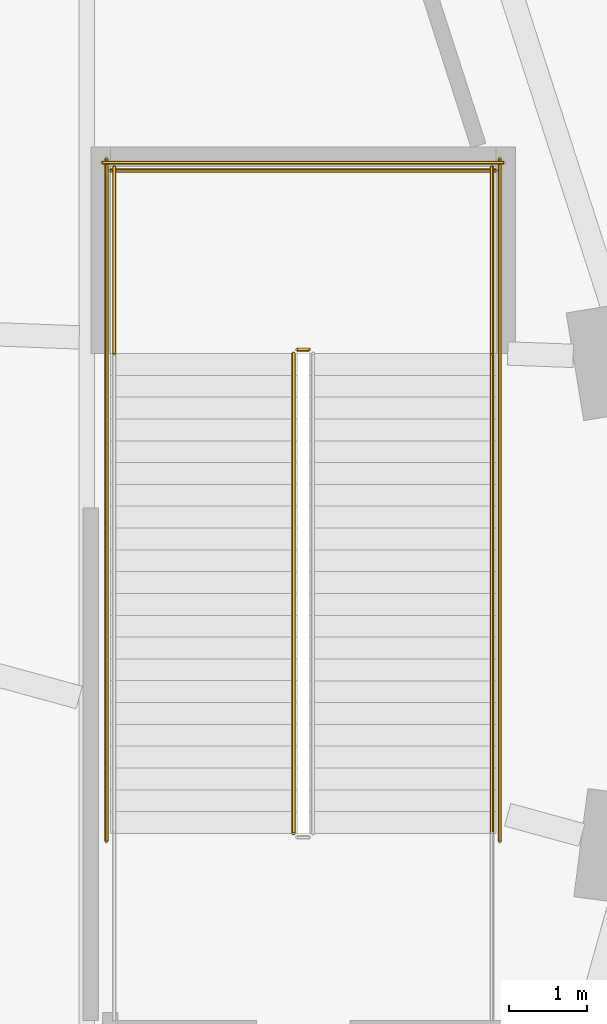
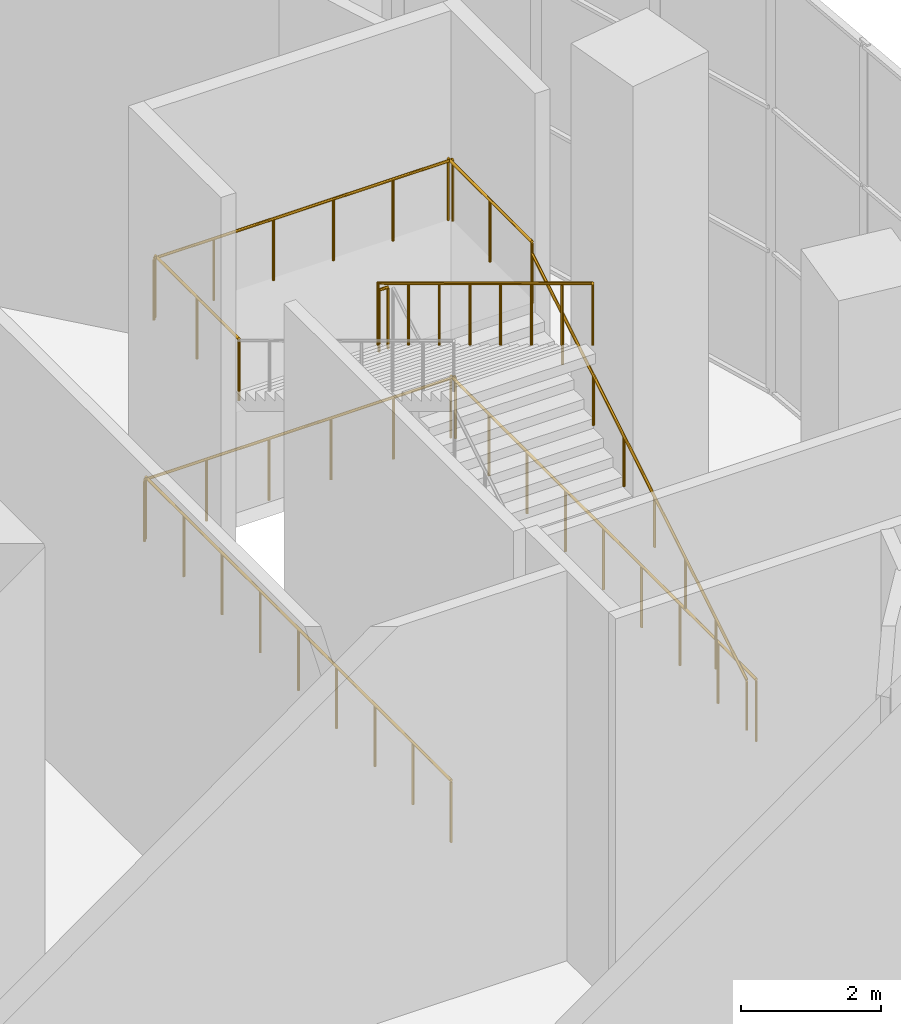
# One storey, part 21 of 22: 9 railings.
"""IFC4 building model written with IfcOpenShell, lengths in metres."""

import ifcopenshell
import ifcopenshell.guid

model = None  # the IFC model being written
_history = None  # IfcOwnerHistory: only IFC2X3 demands one
_inside = {}  # id of a spatial element -> (the spatial element, [elements in it])
_under = {}  # id of a project, library or spatial element -> (it, [spatial elements below it])
_declared = {}  # id of a project -> (the project, [libraries it declares])
_typed = {}  # id of a type object -> (the type object, [elements of that type])
_made_of = {}  # id of a material, layer set ... -> (it, [elements and type objects made of it])


def new_model(schema):
    """Start an empty IFC model of exactly this schema.

    Asked for "IFC4X3", IfcOpenShell would pick the latest addendum, in which some entities
    have other attributes; the version numbers below select the first issue.
    IFC2X3 requires an IfcOwnerHistory on every rooted entity: one is made here for all.
    """
    global model, _history
    if schema == "IFC4X3":
        model = ifcopenshell.file(schema_version=(4, 3, 0, 0))
    else:
        model = ifcopenshell.file(schema=schema)
    _inside.clear()
    _under.clear()
    _declared.clear()
    _typed.clear()
    _made_of.clear()
    _history = None
    if model.schema == "IFC2X3":
        org = make("IfcOrganization", Name="unknown")
        user = make(
            "IfcPersonAndOrganization",
            ThePerson=make("IfcPerson", FamilyName="unknown"),
            TheOrganization=org,
        )
        app = make(
            "IfcApplication",
            ApplicationDeveloper=org,
            Version="unknown",
            ApplicationFullName="unknown",
            ApplicationIdentifier="unknown",
        )
        _history = make(
            "IfcOwnerHistory",
            OwningUser=user,
            OwningApplication=app,
            ChangeAction="ADDED",
            CreationDate=0,
        )
    return model


def make(cls, **values):
    """One entity of the class cls with the attributes given. An attribute that is None is left unset."""
    return model.create_entity(
        cls, **{name: value for name, value in values.items() if value is not None}
    )


def rooted(cls, **values):
    """An entity with a GlobalId (a new one), such as an element, a storey or a relation."""
    return make(cls, GlobalId=ifcopenshell.guid.new(), OwnerHistory=_history, **values)


def si_unit(unit_type, name, prefix=None):
    """IfcSIUnit, for example si_unit("LENGTHUNIT", "METRE", prefix="MILLI")."""
    return make("IfcSIUnit", UnitType=unit_type, Prefix=prefix, Name=name)


def assignment(units):
    """IfcUnitAssignment: the units of a project."""
    return None if units is None else make("IfcUnitAssignment", Units=units)


def point(xyz):
    """IfcCartesianPoint."""
    return None if xyz is None else make("IfcCartesianPoint", Coordinates=xyz)


def direction(xyz):
    """IfcDirection."""
    return None if xyz is None else make("IfcDirection", DirectionRatios=xyz)


def frame(location, z_axis=None, x_axis=None):
    """IfcAxis2Placement3D, a coordinate frame: its origin and axes. An axis left out is left unset."""
    return make(
        "IfcAxis2Placement3D",
        Location=point(location),
        Axis=direction(z_axis),
        RefDirection=direction(x_axis),
    )


def frame_2d(location, x_axis=None):
    """IfcAxis2Placement2D, a coordinate frame in the plane: its origin and x axis."""
    return make(
        "IfcAxis2Placement2D", Location=point(location), RefDirection=direction(x_axis)
    )


def origin():
    """The frame at (0, 0, 0) with its axes left unset."""
    return frame((0.0, 0.0, 0.0))


def origin_2d():
    """The frame at (0, 0) in the plane with its x axis left unset."""
    return frame_2d((0.0, 0.0))


def place(relative_to, where):
    """IfcLocalPlacement: puts the frame where relative to a parent placement (None: the world)."""
    return make(
        "IfcLocalPlacement", PlacementRelTo=relative_to, RelativePlacement=where
    )


def context(
    kind, dimensions, precision=None, world=None, true_north=None, identifier=None
):
    """IfcGeometricRepresentationContext, for example the 3D "Model" context."""
    return make(
        "IfcGeometricRepresentationContext",
        ContextIdentifier=identifier,
        ContextType=kind,
        CoordinateSpaceDimension=dimensions,
        Precision=precision,
        WorldCoordinateSystem=world,
        TrueNorth=true_north,
    )


def subcontext(parent, identifier, kind, view, scale=None):
    """IfcGeometricRepresentationSubContext, for example "Body" below "Model"."""
    return make(
        "IfcGeometricRepresentationSubContext",
        ContextIdentifier=identifier,
        ContextType=kind,
        ParentContext=parent,
        TargetScale=scale,
        TargetView=view,
    )


def project(units=None, contexts=None):
    """IfcProject with its units and contexts."""
    return rooted(
        "IfcProject",
        Name="project",
        RepresentationContexts=contexts,
        UnitsInContext=assignment(units),
    )


def spatial(cls, under=None, at=None, **own):
    """A site, building, storey or space (cls), placed at a placement, below another one or the project."""
    s = rooted(cls, ObjectPlacement=at, **own)
    if under is not None:
        _under.setdefault(under.id(), (under, []))[1].append(s)
    return s


def profile(cls, at=None, kind="AREA", **sizes):
    """A parametric profile (cls). Its sizes go by their IFC names, for example OverallWidth=200.0."""
    return make(cls, ProfileType=kind, Position=at, **sizes)


def circle(**sizes):
    """IfcCircleProfileDef."""
    return profile("IfcCircleProfileDef", **sizes)


def extrude(swept, where, along, depth):
    """IfcExtrudedAreaSolid: the profile swept, set in the frame where, extruded along a direction by depth."""
    return make(
        "IfcExtrudedAreaSolid",
        SweptArea=swept,
        Position=where,
        ExtrudedDirection=direction(along),
        Depth=depth,
    )


def shape(context_of_items, identifier, shape_type, items):
    """IfcShapeRepresentation: the items that make up one representation, for example the "Body"."""
    return make(
        "IfcShapeRepresentation",
        ContextOfItems=context_of_items,
        RepresentationIdentifier=identifier,
        RepresentationType=shape_type,
        Items=items,
    )


def material(Name=None, Category=None):
    """IfcMaterial."""
    return make("IfcMaterial", Name=Name, Category=Category)


def made_of(thing, what):
    """Note that an element or type object is made of a material, layer set ...; save() writes the relation."""
    if what is not None:
        _made_of.setdefault(what.id(), (what, []))[1].append(thing)
    return thing


def type_object(cls, material=None, **own):
    """A type object (cls), such as IfcWallType, which elements share."""
    return made_of(rooted(cls, **own), material)


def element(
    cls,
    number,
    at=None,
    inside=None,
    cuts=None,
    type_object=None,
    material=None,
    context=None,
    identifier="Body",
    shape_type=None,
    held_by="IfcProductDefinitionShape",
    body=None,
    shapes=None,
    **own,
):
    """One element of the class cls, such as IfcWall. Its Tag is "e" and its number.

    at: its placement. inside: the storey or other place that contains it. cuts: it is an
    opening in that element (IfcRelVoidsElement). A single representation is given by context,
    identifier, shape_type and body (its items); several are given by shapes. held_by: the class
    of the entity that holds the representations. save() writes the other relations.
    """
    e = rooted(cls, Tag="e%d" % number, ObjectPlacement=at, **own)
    if body is not None:
        shapes = [shape(context, identifier, shape_type, body)]
    if shapes is not None:
        e.Representation = make(held_by, Representations=shapes)
    if inside is not None:
        _inside.setdefault(inside.id(), (inside, []))[1].append(e)
    if cuts is not None:
        rooted(
            "IfcRelVoidsElement", RelatingBuildingElement=cuts, RelatedOpeningElement=e
        )
    if type_object is not None:
        _typed.setdefault(type_object.id(), (type_object, []))[1].append(e)
    return made_of(e, material)


def aggregate(whole, parts):
    """IfcRelAggregates: a whole, such as a stair, and the parts it consists of."""
    return rooted("IfcRelAggregates", RelatingObject=whole, RelatedObjects=parts)


def save(model, path):
    """Write the relations noted so far, then the file.

    IfcRelAggregates (storeys below a building ...), IfcRelContainedInSpatialStructure (elements
    in a storey), IfcRelDefinesByType, IfcRelAssociatesMaterial and IfcRelDeclares: one each for
    every whole, place, type object, material and project.
    """
    for whole, parts in _under.values():
        aggregate(whole, parts)
    for where, things in _inside.values():
        rooted(
            "IfcRelContainedInSpatialStructure",
            RelatedElements=things,
            RelatingStructure=where,
        )
    for kind, things in _typed.values():
        rooted("IfcRelDefinesByType", RelatedObjects=things, RelatingType=kind)
    for what, things in _made_of.values():
        rooted("IfcRelAssociatesMaterial", RelatedObjects=things, RelatingMaterial=what)
    for by, libraries in _declared.values():
        rooted("IfcRelDeclares", RelatingContext=by, RelatedDefinitions=libraries)
    model.write(path)


model = new_model("IFC4")

# Units and contexts
model_context = context("Model", 3, precision=1e-05, world=origin(), true_north=direction((0.0, 1.0)))
body_context = subcontext(model_context, "Body", "Model", "MODEL_VIEW")
ifc_project = project(units=[si_unit("LENGTHUNIT", "METRE"), si_unit("AREAUNIT", "SQUARE_METRE"), si_unit("VOLUMEUNIT", "CUBIC_METRE"), si_unit("PLANEANGLEUNIT", "RADIAN"), si_unit("MASSUNIT", "GRAM", prefix="KILO")], contexts=[model_context])

# Site, building, storey
site_placement = place(None, origin())
site = spatial("IfcSite", under=ifc_project, at=site_placement, CompositionType="ELEMENT")
building_placement = place(site_placement, origin())
building = spatial("IfcBuilding", under=site, at=building_placement, Name="Rubra Terraces Tower", CompositionType="ELEMENT")
storey_placement = place(building_placement, frame((0.0, 0.0, 7.199951171875)))
storey = spatial("IfcBuildingStorey", under=building, at=storey_placement, Name="L01", CompositionType="ELEMENT", Elevation=7.199951171875)

# Railings
ifc_material = material(Name="Stainless steel", Category="steel")
railing_type_1 = type_object("IfcRailingType", Name="Public stair guard 1100", PredefinedType="GUARDRAIL", material=ifc_material)
railing_1_placement = place(storey_placement, frame((22.5, 3.610107421875, 3.900146484375)))
element("IfcRailing", 1, at=railing_1_placement, inside=storey, type_object=railing_type_1, Name="L01 PS2 stair guard 2", PredefinedType="GUARDRAIL", context=body_context, shape_type="SweptSolid", body=[
    extrude(circle(Radius=0.02392578125, at=origin_2d()), frame((0.0, 0.0, 1.076171875), z_axis=(-1.0, 0.0, 0.0), x_axis=(0.0, -1.0, 0.0)), (0.0, 0.0, 1.0), 0.14990234375),
    extrude(circle(Radius=0.02099609375, at=origin_2d()), origin(), (0.0, 0.0, 1.0), 1.052001953125),
    extrude(circle(Radius=0.02099609375, at=origin_2d()), frame((-0.14990234375, 0.0, 0.0)), (0.0, 0.0, 1.0), 1.052001953125),
])
for number, where, name in (
    (2, (24.85009765625, 3.56005859375, 3.900146484375), "L01 PS2 stair guard 3"),
    (3, (20.0, 3.56005859375, 3.900146484375), "L01 PS2 stair guard 4"),
):
    element("IfcRailing", number, at=place(storey_placement, frame(where)), inside=storey, type_object=railing_type_1, Name=name, PredefinedType="GUARDRAIL", context=body_context, shape_type="SweptSolid", body=[
        extrude(circle(Radius=0.02392578125, at=origin_2d()), frame((0.0, 0.0, 1.076171875), z_axis=(0.0, 1.0, 0.0), x_axis=(-1.0, 0.0, 0.0)), (0.0, 0.0, 1.0), 2.39990234375),
        extrude(circle(Radius=0.02099609375, at=origin_2d()), origin(), (0.0, 0.0, 1.0), 1.052001953125),
        extrude(circle(Radius=0.02099609375, at=origin_2d()), frame((0.0, 1.199951171875, 0.0)), (0.0, 0.0, 1.0), 1.052001953125),
        extrude(circle(Radius=0.02099609375, at=origin_2d()), frame((0.0, 2.39990234375, 0.0)), (0.0, 0.0, 1.0), 1.052001953125),
    ])
railing_2_placement = place(storey_placement, frame((24.89990234375, 5.909912109375, 3.900146484375)))
element("IfcRailing", 4, at=railing_2_placement, inside=storey, type_object=railing_type_1, Name="L01 PS2 stair guard 5", PredefinedType="GUARDRAIL", context=body_context, shape_type="SweptSolid", body=[
    extrude(circle(Radius=0.02392578125, at=origin_2d()), frame((0.0, 0.0, 1.076171875), z_axis=(-1.0, 0.0, 0.0), x_axis=(0.0, -1.0, 0.0)), (0.0, 0.0, 1.0), 4.949951171875),
    extrude(circle(Radius=0.02099609375, at=origin_2d()), origin(), (0.0, 0.0, 1.0), 1.052001953125),
    extrude(circle(Radius=0.02099609375, at=origin_2d()), frame((-0.989990234375, 0.0, 0.0)), (0.0, 0.0, 1.0), 1.052001953125),
    extrude(circle(Radius=0.02099609375, at=origin_2d()), frame((-1.97998046875, 0.0, 0.0)), (0.0, 0.0, 1.0), 1.052001953125),
    extrude(circle(Radius=0.02099609375, at=origin_2d()), frame((-2.969970703125, 0.0, 0.0)), (0.0, 0.0, 1.0), 1.052001953125),
    extrude(circle(Radius=0.02099609375, at=origin_2d()), frame((-3.9599609375, 0.0, 0.0)), (0.0, 0.0, 1.0), 1.052001953125),
    extrude(circle(Radius=0.02099609375, at=origin_2d()), frame((-4.949951171875, 0.0, 0.0)), (0.0, 0.0, 1.0), 1.052001953125),
])
railing_3_placement = place(storey_placement, frame((22.300048828125, 3.56005859375, 4.069580078125)))
element("IfcRailing", 5, at=railing_3_placement, inside=storey, type_object=railing_type_1, Name="L01 PS2 stair guard 6", PredefinedType="GUARDRAIL", context=body_context, shape_type="SweptSolid", body=[
    extrude(circle(Radius=0.02392578125, at=origin_2d()), frame((0.0, 0.0, 1.076171875), z_axis=(0.0, -0.855379917629, 0.518001154937), x_axis=(1.0, 0.0, 0.0)), (0.0, 0.0, 1.0), 7.20166015625),
    extrude(circle(Radius=0.02099609375, at=origin_2d()), origin(), (0.0, 0.0, 1.0), 1.052001953125),
    extrude(circle(Radius=0.02099609375, at=origin_2d()), frame((0.0, -0.880126953125, 0.532958984375)), (0.0, 0.0, 1.0), 1.052001953125),
    extrude(circle(Radius=0.02099609375, at=origin_2d()), frame((0.0, -1.760009765625, 1.06591796875)), (0.0, 0.0, 1.0), 1.052001953125),
    extrude(circle(Radius=0.02099609375, at=origin_2d()), frame((0.0, -2.64013671875, 1.598876953125)), (0.0, 0.0, 1.0), 1.052001953125),
    extrude(circle(Radius=0.02099609375, at=origin_2d()), frame((0.0, -3.52001953125, 2.131591796875)), (0.0, 0.0, 1.0), 1.052001953125),
    extrude(circle(Radius=0.02099609375, at=origin_2d()), frame((0.0, -4.400146484375, 2.66455078125)), (0.0, 0.0, 1.0), 1.052001953125),
    extrude(circle(Radius=0.02099609375, at=origin_2d()), frame((0.0, -5.280029296875, 3.197509765625)), (0.0, 0.0, 1.0), 1.052001953125),
    extrude(circle(Radius=0.02099609375, at=origin_2d()), frame((0.0, -6.16015625, 3.73046875)), (0.0, 0.0, 1.0), 1.052001953125),
])
for number, where, name in (
    (6, (24.949951171875, -2.699951171875, 0.0), "L01 PS2 stair guard 10"),
    (7, (19.89990234375, -2.699951171875, 0.0), "L01 PS2 stair guard 11"),
):
    element("IfcRailing", number, at=place(storey_placement, frame(where)), inside=storey, type_object=railing_type_1, Name=name, PredefinedType="GUARDRAIL", context=body_context, shape_type="SweptSolid", body=[
        extrude(circle(Radius=0.02392578125, at=origin_2d()), frame((0.0, 0.0, 1.076171875), z_axis=(0.0, 1.0, 0.0), x_axis=(-1.0, 0.0, 0.0)), (0.0, 0.0, 1.0), 8.760009765625),
        extrude(circle(Radius=0.02099609375, at=origin_2d()), origin(), (0.0, 0.0, 1.0), 1.052001953125),
        extrude(circle(Radius=0.02099609375, at=origin_2d()), frame((0.0, 1.094970703125, 0.0)), (0.0, 0.0, 1.0), 1.052001953125),
        extrude(circle(Radius=0.02099609375, at=origin_2d()), frame((0.0, 2.18994140625, 0.0)), (0.0, 0.0, 1.0), 1.052001953125),
        extrude(circle(Radius=0.02099609375, at=origin_2d()), frame((0.0, 3.284912109375, 0.0)), (0.0, 0.0, 1.0), 1.052001953125),
        extrude(circle(Radius=0.02099609375, at=origin_2d()), frame((0.0, 4.3798828125, 0.0)), (0.0, 0.0, 1.0), 1.052001953125),
        extrude(circle(Radius=0.02099609375, at=origin_2d()), frame((0.0, 5.47509765625, 0.0)), (0.0, 0.0, 1.0), 1.052001953125),
        extrude(circle(Radius=0.02099609375, at=origin_2d()), frame((0.0, 6.570068359375, 0.0)), (0.0, 0.0, 1.0), 1.052001953125),
        extrude(circle(Radius=0.02099609375, at=origin_2d()), frame((0.0, 7.6650390625, 0.0)), (0.0, 0.0, 1.0), 1.052001953125),
        extrude(circle(Radius=0.02099609375, at=origin_2d()), frame((0.0, 8.760009765625, 0.0)), (0.0, 0.0, 1.0), 1.052001953125),
    ])
railing_4_placement = place(storey_placement, frame((25.0, 6.010009765625, 0.0)))
element("IfcRailing", 8, at=railing_4_placement, inside=storey, type_object=railing_type_1, Name="L01 PS2 stair guard 12", PredefinedType="GUARDRAIL", context=body_context, shape_type="SweptSolid", body=[
    extrude(circle(Radius=0.02392578125, at=origin_2d()), frame((0.0, 0.0, 1.076171875), z_axis=(-1.0, 0.0, 0.0), x_axis=(0.0, -1.0, 0.0)), (0.0, 0.0, 1.0), 5.14990234375),
    extrude(circle(Radius=0.02099609375, at=origin_2d()), origin(), (0.0, 0.0, 1.0), 1.052001953125),
    extrude(circle(Radius=0.02099609375, at=origin_2d()), frame((-1.030029296875, 0.0, 0.0)), (0.0, 0.0, 1.0), 1.052001953125),
    extrude(circle(Radius=0.02099609375, at=origin_2d()), frame((-2.06005859375, 0.0, 0.0)), (0.0, 0.0, 1.0), 1.052001953125),
    extrude(circle(Radius=0.02099609375, at=origin_2d()), frame((-3.08984375, 0.0, 0.0)), (0.0, 0.0, 1.0), 1.052001953125),
    extrude(circle(Radius=0.02099609375, at=origin_2d()), frame((-4.119873046875, 0.0, 0.0)), (0.0, 0.0, 1.0), 1.052001953125),
    extrude(circle(Radius=0.02099609375, at=origin_2d()), frame((-5.14990234375, 0.0, 0.0)), (0.0, 0.0, 1.0), 1.052001953125),
])
railing_type_2 = type_object("IfcRailingType", Name="Public stair handrail 900", PredefinedType="HANDRAIL", material=ifc_material)
railing_5_placement = place(storey_placement, frame((24.85009765625, -2.60009765625, 0.169677734375)))
element("IfcRailing", 9, at=railing_5_placement, inside=storey, type_object=railing_type_2, Name="L01 PS2 stair handrail 1", PredefinedType="HANDRAIL", context=body_context, shape_type="SweptSolid", body=[
    extrude(circle(Radius=0.02392578125, at=origin_2d()), frame((0.0, 0.0, 0.8759765625), z_axis=(0.0, 0.855379917629, 0.518001154937), x_axis=(-1.0, 0.0, 0.0)), (0.0, 0.0, 1.0), 7.20166015625),
    extrude(circle(Radius=0.02099609375, at=origin_2d()), origin(), (0.0, 0.0, 1.0), 0.851806640625),
    extrude(circle(Radius=0.02099609375, at=origin_2d()), frame((0.0, 0.880126953125, 0.532958984375)), (0.0, 0.0, 1.0), 0.851806640625),
    extrude(circle(Radius=0.02099609375, at=origin_2d()), frame((0.0, 1.760009765625, 1.06591796875)), (0.0, 0.0, 1.0), 0.851806640625),
    extrude(circle(Radius=0.02099609375, at=origin_2d()), frame((0.0, 2.64013671875, 1.598876953125)), (0.0, 0.0, 1.0), 0.851806640625),
    extrude(circle(Radius=0.02099609375, at=origin_2d()), frame((0.0, 3.52001953125, 2.131591796875)), (0.0, 0.0, 1.0), 0.851806640625),
    extrude(circle(Radius=0.02099609375, at=origin_2d()), frame((0.0, 4.400146484375, 2.66455078125)), (0.0, 0.0, 1.0), 0.851806640625),
    extrude(circle(Radius=0.02099609375, at=origin_2d()), frame((0.0, 5.280029296875, 3.197509765625)), (0.0, 0.0, 1.0), 0.851806640625),
    extrude(circle(Radius=0.02099609375, at=origin_2d()), frame((0.0, 6.16015625, 3.73046875)), (0.0, 0.0, 1.0), 0.851806640625),
])

save(model, "model.ifc")
